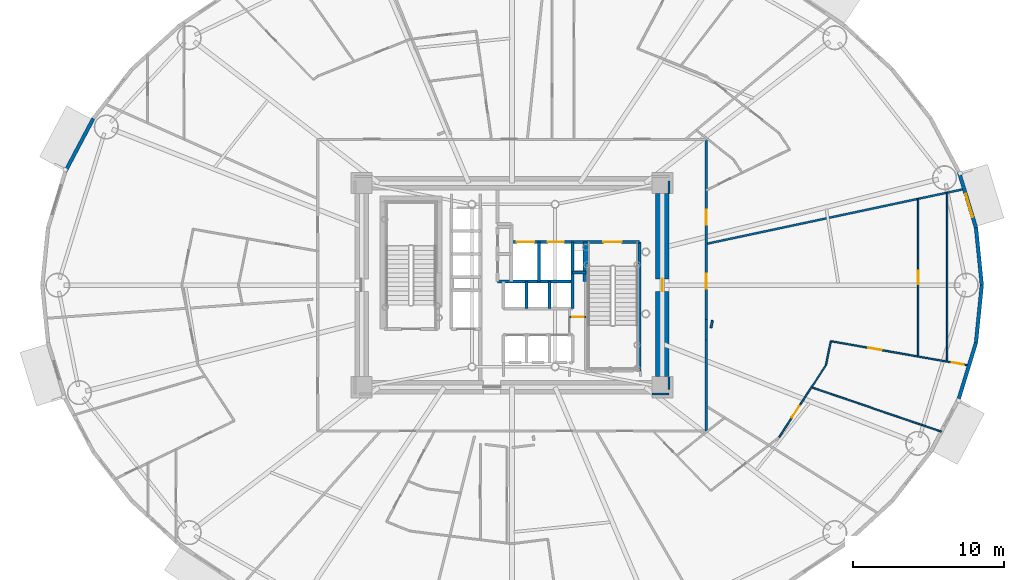
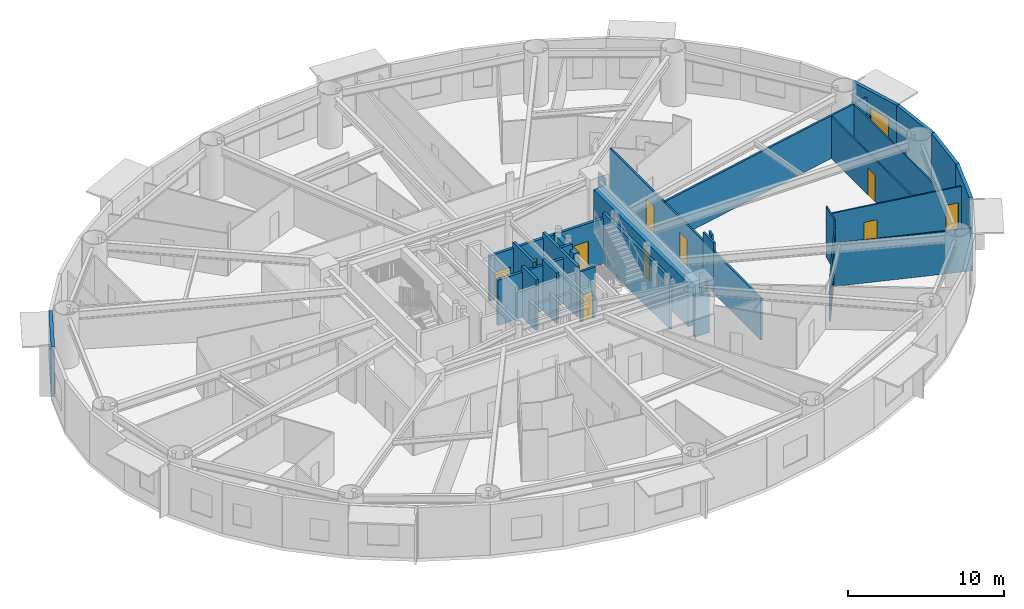
# One storey, part 11 of 21: 30 walls, 11 doors, 1 window, 12 openings.
"""IFC4 building model written with IfcOpenShell, lengths in metres."""

from ifc_helpers import new_model, si_unit, direction, frame, frame_2d, origin, origin_2d, place, context, subcontext, project, spatial, rectangle, extrude, source, transform, mapped, material, layer, layer_set, type_object, element, fill, save


model = new_model("IFC4")

# Units and contexts
model_context = context("Model", 3, precision=1e-05, world=origin(), true_north=direction((0.0, 1.0)))
body_context = subcontext(model_context, "Body", "Model", "MODEL_VIEW")
ifc_project = project(units=[si_unit("LENGTHUNIT", "METRE"), si_unit("AREAUNIT", "SQUARE_METRE"), si_unit("VOLUMEUNIT", "CUBIC_METRE"), si_unit("PLANEANGLEUNIT", "RADIAN"), si_unit("MASSUNIT", "GRAM", prefix="KILO")], contexts=[model_context])

# Site, building, storey
site_placement = place(None, origin())
site = spatial("IfcSite", under=ifc_project, at=site_placement, CompositionType="ELEMENT")
building_placement = place(site_placement, origin())
building = spatial("IfcBuilding", under=site, at=building_placement, Name="Linh Dai School and Residence Tower", CompositionType="ELEMENT")
storey_placement = place(building_placement, frame((0.0, 0.0, 61.800048828125)))
storey = spatial("IfcBuildingStorey", under=building, at=storey_placement, Name="L14", CompositionType="ELEMENT", Elevation=61.800048828125)

# Wall
ifc_material_1 = material(Name="Precast Concrete B45 (C35/45)", Category="concrete")
ifc_layer_1 = layer(ifc_material_1, 0.239990234375)
ifc_layer_set_1 = layer_set([ifc_layer_1], Name="Precast Concrete B45 (C35/45)")
wall_type_1 = type_object("IfcWallType", Name="EW-TC-240", PredefinedType="SOLIDWALL", material=ifc_layer_set_1)
wall_1_placement = place(storey_placement, frame((66.693359375, 30.796875, 0.0), z_axis=(0.0, 0.0, 1.0), x_axis=(0.099997795174, -0.994987658698, 0.0)))
element("IfcWall", 1, at=wall_1_placement, inside=storey, type_object=wall_type_1, Name="L14 Terracotta Exterior Wall 01", PredefinedType="SOLIDWALL", context=body_context, shape_type="SweptSolid", body=[
    extrude(rectangle(XDim=3.81591796875, YDim=0.239990234375, at=frame_2d((1.907958984375, 0.0))), origin(), (0.0, 0.0, 1.0), 3.949951171875),
])

# Wall, opening, window
wall_2_placement = place(storey_placement, frame((65.5576171875, 34.50146484375, 0.0), z_axis=(0.0, 0.0, 1.0), x_axis=(0.293111631758, -0.956078224482, 0.0)))
wall_2 = element("IfcWall", 2, at=wall_2_placement, inside=storey, type_object=wall_type_1, Name="L14 Terracotta Exterior Wall 02", PredefinedType="SOLIDWALL", context=body_context, shape_type="SweptSolid", body=[
    extrude(rectangle(XDim=3.874755859375, YDim=0.239990234375, at=frame_2d((1.9375, 0.0))), origin(), (0.0, 0.0, 1.0), 3.949951171875),
])
opening_1_placement = place(wall_2_placement, frame((1.5341796875, 0.0, 0.89990234375)))
opening_1 = element("IfcOpeningElement", 3, at=opening_1_placement, cuts=wall_2, Name="Opening W2", PredefinedType="OPENING", context=body_context, shape_type="SweptSolid", body=[
    extrude(rectangle(XDim=1.60009765625, YDim=1.75, at=origin_2d()), frame((0.800048828125, 0.1298828125, 0.875), z_axis=(0.0, -1.0, 0.0), x_axis=(1.0, 0.0, 0.0)), (0.0, 0.0, 1.0), 0.260009765625),
])
ifc_material_2 = material(Name="Double Low-E Insulated Glazing", Category="glass")
window_type = type_object("IfcWindowType", Name="WN-RES-1600x1750", PartitioningType="DOUBLE_PANEL_VERTICAL", PredefinedType="WINDOW", material=ifc_material_2)
shared_shape_1 = source(origin(), body_context, "Body", "SweptSolid", [
    extrude(rectangle(XDim=1.60009765625, YDim=1.75, at=origin_2d()), frame((0.800048828125, 0.030029296875, 0.875), z_axis=(0.0, -1.0, 0.0), x_axis=(1.0, 0.0, 0.0)), (0.0, 0.0, 1.0), 0.06005859375),
])
window_placement = place(opening_1_placement, origin())
window = element("IfcWindow", 4, at=window_placement, inside=storey, type_object=window_type, Name="L14 Exterior Window 02.1", OverallHeight=1.75, OverallWidth=1.60009765625, PartitioningType="DOUBLE_PANEL_VERTICAL", PredefinedType="WINDOW", context=body_context, shape_type="MappedRepresentation", body=[
    mapped(shared_shape_1, transform((0.0, 0.0, 0.0), x_axis=(1.0, 0.0, 0.0), y_axis=(0.0, 1.0, 0.0), z_axis=(0.0, 0.0, 1.0), scale=1.0)),
])
fill(opening_1, window)

# Walls
wall_3_placement = place(storey_placement, frame((6.4423828125, 34.50146484375, 0.0), z_axis=(0.0, 0.0, 1.0), x_axis=(0.467662443071, 0.883907144072, 0.0)))
element("IfcWall", 5, at=wall_3_placement, inside=storey, type_object=wall_type_1, Name="L14 Terracotta Exterior Wall 18", PredefinedType="SOLIDWALL", context=body_context, shape_type="SweptSolid", body=[
    extrude(rectangle(XDim=3.983642578125, YDim=0.239990234375, at=frame_2d((1.99169921875, 0.0))), origin(), (0.0, 0.0, 1.0), 3.949951171875),
])
wall_4_placement = place(storey_placement, frame((66.693359375, 23.203125, 0.0), z_axis=(0.0, 0.0, 1.0), x_axis=(-0.293111631758, -0.956078224482, 0.0)))
element("IfcWall", 6, at=wall_4_placement, inside=storey, type_object=wall_type_1, Name="L14 Terracotta Exterior Wall 39", PredefinedType="SOLIDWALL", context=body_context, shape_type="SweptSolid", body=[
    extrude(rectangle(XDim=3.874755859375, YDim=0.239990234375, at=frame_2d((1.9375, 0.0))), origin(), (0.0, 0.0, 1.0), 3.949951171875),
])
wall_5_placement = place(storey_placement, frame((67.074951171875, 27.0, 0.0), z_axis=(0.0, 0.0, 1.0), x_axis=(-0.099997795174, -0.994987658698, 0.0)))
element("IfcWall", 7, at=wall_5_placement, inside=storey, type_object=wall_type_1, Name="L14 Terracotta Exterior Wall 40", PredefinedType="SOLIDWALL", context=body_context, shape_type="SweptSolid", body=[
    extrude(rectangle(XDim=3.81591796875, YDim=0.239990234375, at=frame_2d((1.907958984375, 0.0))), origin(), (0.0, 0.0, 1.0), 3.949951171875),
])
ifc_material_3 = material(Name="Autoclaved Aerated Concrete Blockwork", Category="masonry")
ifc_layer_2 = layer(ifc_material_3, 0.135009765625)
ifc_layer_set_2 = layer_set([ifc_layer_2], Name="Autoclaved Aerated Concrete Blockwork")
wall_type_2 = type_object("IfcWallType", Name="IW-CORR-135-EI90", PredefinedType="PARTITIONING", material=ifc_layer_set_2)
wall_6_placement = place(storey_placement, frame((48.85009765625, 17.35009765625, 0.0), z_axis=(0.0, 0.0, 1.0), x_axis=(0.0, 1.0, 0.0)))
element("IfcWall", 8, at=wall_6_placement, inside=storey, type_object=wall_type_2, Name="L14 Interior Partition Wall 090", PredefinedType="PARTITIONING", context=body_context, shape_type="SweptSolid", body=[
    extrude(rectangle(XDim=6.011474609375, YDim=0.135009765625, at=frame_2d((3.005859375, 0.0))), origin(), (0.0, 0.0, 1.0), 3.284912109375),
])

# Wall, openings, doors
wall_7_placement = place(storey_placement, frame((48.85009765625, 24.741943359375, 0.0), z_axis=(0.0, 0.0, 1.0), x_axis=(0.0, 1.0, 0.0)))
wall_7 = element("IfcWall", 9, at=wall_7_placement, inside=storey, type_object=wall_type_2, Name="L14 Interior Partition Wall 092", PredefinedType="PARTITIONING", context=body_context, shape_type="SweptSolid", body=[
    extrude(rectangle(XDim=11.907958984375, YDim=0.135009765625, at=frame_2d((5.9541015625, 0.0))), origin(), (0.0, 0.0, 1.0), 3.284912109375),
])
opening_2_placement = place(wall_7_placement, frame((6.261962890625, 0.0, 0.0)))
opening_2 = element("IfcOpeningElement", 10, at=opening_2_placement, cuts=wall_7, Name="Opening D03", PredefinedType="OPENING", context=body_context, shape_type="SweptSolid", body=[
    extrude(rectangle(XDim=1.0, YDim=2.14990234375, at=origin_2d()), frame((0.5, 0.07763671875, 1.074951171875), z_axis=(0.0, -1.0, 0.0), x_axis=(1.0, 0.0, 0.0)), (0.0, 0.0, 1.0), 0.155029296875),
])
opening_3_placement = place(wall_7_placement, frame((2.0146484375, 0.0, 0.0)))
opening_3 = element("IfcOpeningElement", 11, at=opening_3_placement, cuts=wall_7, Name="Opening D03", PredefinedType="OPENING", context=body_context, shape_type="SweptSolid", body=[
    extrude(rectangle(XDim=1.0, YDim=2.14990234375, at=origin_2d()), frame((0.5, 0.07763671875, 1.074951171875), z_axis=(0.0, -1.0, 0.0), x_axis=(1.0, 0.0, 0.0)), (0.0, 0.0, 1.0), 0.155029296875),
])
ifc_material_4 = material(Name="Fire-Rated Solid Timber Entrance Door", Category="wood")
door_type_1 = type_object("IfcDoorType", Name="DR-FLAT-1000x2150-FD60S", OperationType="NOTDEFINED", PredefinedType="DOOR", material=ifc_material_4)
shared_shape_2 = source(origin(), body_context, "Body", "SweptSolid", [
    extrude(rectangle(XDim=1.0, YDim=2.14990234375, at=origin_2d()), frame((0.5, 0.02490234375, 1.074951171875), z_axis=(0.0, -1.0, 0.0), x_axis=(1.0, 0.0, 0.0)), (0.0, 0.0, 1.0), 0.050048828125),
])
door_1_placement = place(opening_2_placement, origin())
door_1 = element("IfcDoor", 12, at=door_1_placement, inside=storey, type_object=door_type_1, Name="L14 U1401 Apartment Entrance Door", OperationType="SINGLE_SWING_LEFT", OverallHeight=2.14990234375, OverallWidth=1.0, PredefinedType="DOOR", context=body_context, shape_type="MappedRepresentation", body=[
    mapped(shared_shape_2, transform((0.0, 0.0, 0.0), x_axis=(1.0, 0.0, 0.0), y_axis=(0.0, 1.0, 0.0), z_axis=(0.0, 0.0, 1.0), scale=1.0)),
])
fill(opening_2, door_1)
door_2_placement = place(opening_3_placement, origin())
door_2 = element("IfcDoor", 13, at=door_2_placement, inside=storey, type_object=door_type_1, Name="L14 U1410 Apartment Entrance Door", OperationType="SINGLE_SWING_LEFT", OverallHeight=2.14990234375, OverallWidth=1.0, PredefinedType="DOOR", context=body_context, shape_type="MappedRepresentation", body=[
    mapped(shared_shape_2, transform((0.0, 0.0, 0.0), x_axis=(1.0, 0.0, 0.0), y_axis=(0.0, 1.0, 0.0), z_axis=(0.0, 0.0, 1.0), scale=1.0)),
])
fill(opening_3, door_2)

# Walls
wall_8_placement = place(storey_placement, frame((48.85009765625, 29.7314453125, 0.0), z_axis=(0.0, 0.0, 1.0), x_axis=(0.97814985104, 0.207901103679, 0.0)))
element("IfcWall", 14, at=wall_8_placement, inside=storey, type_object=wall_type_2, Name="L14 Interior Partition Wall 093", PredefinedType="PARTITIONING", context=body_context, shape_type="SweptSolid", body=[
    extrude(rectangle(XDim=17.4443359375, YDim=0.135009765625, at=frame_2d((8.72216796875, 0.0))), origin(), (0.0, 0.0, 1.0), 3.3349609375),
])
wall_9_placement = place(storey_placement, frame((48.85009765625, 24.73193359375, 0.0), z_axis=(0.0, 0.0, 1.0), x_axis=(0.0, -1.0, 0.0)))
element("IfcWall", 15, at=wall_9_placement, inside=storey, type_object=wall_type_2, Name="L14 Interior Partition Wall 116", PredefinedType="PARTITIONING", context=body_context, shape_type="SweptSolid", body=[
    extrude(rectangle(XDim=1.3603515625, YDim=0.135009765625, at=frame_2d((0.68017578125, 0.0))), origin(), (0.0, 0.0, 1.0), 3.949951171875),
])
wall_10_placement = place(storey_placement, frame((45.260009765625, 19.800048828125, 0.0), z_axis=(0.0, 0.0, 1.0), x_axis=(1.0, 0.0, 0.0)))
element("IfcWall", 16, at=wall_10_placement, inside=storey, type_object=wall_type_2, Name="L14 Interior Partition Wall 124", PredefinedType="PARTITIONING", context=body_context, shape_type="SweptSolid", body=[
    extrude(rectangle(XDim=1.139892578125, YDim=0.135009765625, at=frame_2d((0.56982421875, 0.0))), origin(), (0.0, 0.0, 1.0), 3.284912109375),
])
for number, where, z_axis, x_axis, name in (
    (17, (46.39990234375, 20.107421875, 0.0), (0.0, 0.0, 1.0), (0.0, 1.0, 0.0), "L14 Interior Partition Wall 125"),
    (18, (46.39990234375, 33.06005859375, 0.0), (0.0, 0.0, 1.0), (0.0, 1.0, 0.0), "L14 Interior Partition Wall 126"),
):
    element("IfcWall", number, at=place(storey_placement, frame(where, z_axis=z_axis, x_axis=x_axis)), inside=storey, type_object=wall_type_2, Name=name, PredefinedType="PARTITIONING", context=body_context, shape_type="SweptSolid", body=[
        extrude(rectangle(XDim=0.83251953125, YDim=0.135009765625, at=frame_2d((0.416259765625, 0.0))), origin(), (0.0, 0.0, 1.0), 3.949951171875),
    ])
wall_11_placement = place(storey_placement, frame((49.157470703125, 24.1796875, 0.0), z_axis=(0.0, 0.0, 1.0), x_axis=(0.198365081381, 0.980128203088, 0.0)))
element("IfcWall", 19, at=wall_11_placement, inside=storey, type_object=wall_type_2, Name="L14 Interior Partition Wall 135", PredefinedType="PARTITIONING", context=body_context, shape_type="SweptSolid", body=[
    extrude(rectangle(XDim=0.5009765625, YDim=0.135009765625, at=frame_2d((0.25048828125, 0.0))), origin(), (0.0, 0.0, 1.0), 3.949951171875),
])

# Wall, opening, door
ifc_layer_3 = layer(ifc_material_3, 0.14990234375)
ifc_layer_set_3 = layer_set([ifc_layer_3], Name="Autoclaved Aerated Concrete Blockwork")
wall_type_3 = type_object("IfcWallType", Name="IW-SCH-150-EI60", PredefinedType="PARTITIONING", material=ifc_layer_set_3)
wall_12_placement = place(storey_placement, frame((39.800048828125, 24.89990234375, 0.0), z_axis=(0.0, 0.0, 1.0), x_axis=(1.0, 0.0, 0.0)))
wall_12 = element("IfcWall", 20, at=wall_12_placement, inside=storey, type_object=wall_type_3, Name="L14 Interior Partition Wall 071", PredefinedType="PARTITIONING", context=body_context, shape_type="SweptSolid", body=[
    extrude(rectangle(XDim=1.099853515625, YDim=0.14990234375, at=frame_2d((0.5498046875, 0.0))), origin(), (0.0, 0.0, 1.0), 3.949951171875),
])
opening_4_placement = place(wall_12_placement, frame((0.169921875, 0.0, 0.0)))
opening_4 = element("IfcOpeningElement", 21, at=opening_4_placement, cuts=wall_12, Name="Opening D08", PredefinedType="OPENING", context=body_context, shape_type="SweptSolid", body=[
    extrude(rectangle(XDim=0.760009765625, YDim=2.10009765625, at=origin_2d()), frame((0.3798828125, 0.0849609375, 1.050048828125), z_axis=(0.0, -1.0, 0.0), x_axis=(1.0, 0.0, 0.0)), (0.0, 0.0, 1.0), 0.169921875),
])
ifc_material_5 = material(Name="Engineered Timber Closet and Study Door", Category="wood")
door_type_2 = type_object("IfcDoorType", Name="DR-CMP-760x2100", OperationType="NOTDEFINED", PredefinedType="DOOR", material=ifc_material_5)
shared_shape_3 = source(origin(), body_context, "Body", "SweptSolid", [
    extrude(rectangle(XDim=0.760009765625, YDim=2.10009765625, at=origin_2d()), frame((0.3798828125, 0.02490234375, 1.050048828125), z_axis=(0.0, -1.0, 0.0), x_axis=(1.0, 0.0, 0.0)), (0.0, 0.0, 1.0), 0.050048828125),
])
door_3_placement = place(opening_4_placement, origin())
door_3 = element("IfcDoor", 22, at=door_3_placement, inside=storey, type_object=door_type_2, Name="L14 NE Cleaners Store Door", OperationType="SINGLE_SWING_LEFT", OverallHeight=2.10009765625, OverallWidth=0.760009765625, PredefinedType="DOOR", context=body_context, shape_type="MappedRepresentation", body=[
    mapped(shared_shape_3, transform((0.0, 0.0, 0.0), x_axis=(1.0, 0.0, 0.0), y_axis=(0.0, 1.0, 0.0), z_axis=(0.0, 0.0, 1.0), scale=1.0)),
])
fill(opening_4, door_3)

# Wall
ifc_material_6 = material(Name="Concrete B45 (C35/45)", Category="concrete")
ifc_layer_4 = layer(ifc_material_6, 0.199951171875)
ifc_layer_set_4 = layer_set([ifc_layer_4], Name="Concrete B45 (C35/45)")
wall_type_4 = type_object("IfcWallType", Name="IW-SHAFT-200-EI120", PredefinedType="PARTITIONING", material=ifc_layer_set_4)
wall_13_placement = place(storey_placement, frame((35.050048828125, 27.25, 0.0), z_axis=(0.0, 0.0, 1.0), x_axis=(1.0, 0.0, 0.0)))
element("IfcWall", 23, at=wall_13_placement, inside=storey, type_object=wall_type_4, Name="L14 Interior Partition Wall 047", PredefinedType="PARTITIONING", context=body_context, shape_type="SweptSolid", body=[
    extrude(rectangle(XDim=4.949951171875, YDim=0.199951171875, at=frame_2d((2.47509765625, 0.0))), origin(), (0.0, 0.0, 1.0), 3.534912109375),
])

# Wall, openings, doors
wall_14_placement = place(storey_placement, frame((35.949951171875, 29.85009765625, 0.0), z_axis=(0.0, 0.0, 1.0), x_axis=(1.0, 0.0, 0.0)))
wall_14 = element("IfcWall", 24, at=wall_14_placement, inside=storey, type_object=wall_type_4, Name="L14 Interior Partition Wall 058", PredefinedType="PARTITIONING", context=body_context, shape_type="SweptSolid", body=[
    extrude(rectangle(XDim=8.489990234375, YDim=0.199951171875, at=frame_2d((4.2451171875, 0.0))), origin(), (0.0, 0.0, 1.0), 3.534912109375),
])
opening_5_placement = place(wall_14_placement, frame((6.10009765625, 0.0, 0.0)))
opening_5 = element("IfcOpeningElement", 25, at=opening_5_placement, cuts=wall_14, Name="Opening D01", PredefinedType="OPENING", context=body_context, shape_type="SweptSolid", body=[
    extrude(rectangle(XDim=1.199951171875, YDim=2.14990234375, at=origin_2d()), frame((0.60009765625, 0.10986328125, 1.074951171875), z_axis=(0.0, -1.0, 0.0), x_axis=(1.0, 0.0, 0.0)), (0.0, 0.0, 1.0), 0.219970703125),
])
opening_6_placement = place(wall_14_placement, frame((0.3701171875, 0.0, 0.0)))
opening_6 = element("IfcOpeningElement", 26, at=opening_6_placement, cuts=wall_14, Name="Opening LD-FF1", PredefinedType="OPENING", context=body_context, shape_type="SweptSolid", body=[
    extrude(rectangle(XDim=1.14990234375, YDim=2.14990234375, at=origin_2d()), frame((0.574951171875, 0.10986328125, 1.074951171875), z_axis=(0.0, -1.0, 0.0), x_axis=(1.0, 0.0, 0.0)), (0.0, 0.0, 1.0), 0.219970703125),
])
opening_7_placement = place(wall_14_placement, frame((2.425048828125, 0.0, 0.0)))
opening_7 = element("IfcOpeningElement", 27, at=opening_7_placement, cuts=wall_14, Name="Opening LD-SV1", PredefinedType="OPENING", context=body_context, shape_type="SweptSolid", body=[
    extrude(rectangle(XDim=1.050048828125, YDim=2.14990234375, at=origin_2d()), frame((0.52490234375, 0.10986328125, 1.074951171875), z_axis=(0.0, -1.0, 0.0), x_axis=(1.0, 0.0, 0.0)), (0.0, 0.0, 1.0), 0.219970703125),
])
ifc_material_7 = material(Name="Fire-Rated Steel Door Leaf", Category="steel")
door_type_3 = type_object("IfcDoorType", Name="DR-STAIR-1200x2150-FD90S", OperationType="NOTDEFINED", PredefinedType="DOOR", material=ifc_material_7)
shared_shape_4 = source(origin(), body_context, "Body", "SweptSolid", [
    extrude(rectangle(XDim=1.199951171875, YDim=2.14990234375, at=origin_2d()), frame((0.60009765625, 0.02490234375, 1.074951171875), z_axis=(0.0, -1.0, 0.0), x_axis=(1.0, 0.0, 0.0)), (0.0, 0.0, 1.0), 0.050048828125),
])
door_4_placement = place(opening_5_placement, origin())
door_4 = element("IfcDoor", 28, at=door_4_placement, inside=storey, type_object=door_type_3, Name="L14 Core Smokeproof Exit Stair ST2 Door", OperationType="SINGLE_SWING_RIGHT", OverallHeight=2.14990234375, OverallWidth=1.199951171875, PredefinedType="DOOR", context=body_context, shape_type="MappedRepresentation", body=[
    mapped(shared_shape_4, transform((0.0, 0.0, 0.0), x_axis=(1.0, 0.0, 0.0), y_axis=(0.0, 1.0, 0.0), z_axis=(0.0, 0.0, 1.0), scale=1.0)),
])
fill(opening_5, door_4)
ifc_material_8 = material(Name="Fire-Rated Stainless Steel Firefighting Lift Door", Category="steel")
door_type_4 = type_object("IfcDoorType", Name="DR-LD-FF-1150x2150-FD120", OperationType="DOUBLE_DOOR_SLIDING", PredefinedType="USERDEFINED", material=ifc_material_8)
shared_shape_5 = source(origin(), body_context, "Body", "SweptSolid", [
    extrude(rectangle(XDim=1.14990234375, YDim=2.14990234375, at=origin_2d()), frame((0.574951171875, 0.02490234375, 1.074951171875), z_axis=(0.0, -1.0, 0.0), x_axis=(1.0, 0.0, 0.0)), (0.0, 0.0, 1.0), 0.050048828125),
])
door_5_placement = place(opening_6_placement, origin())
door_5 = element("IfcDoor", 29, at=door_5_placement, inside=storey, type_object=door_type_4, Name="L14 Lift FF1 Sliding Landing Door", ObjectType="LANDING DOOR", OperationType="DOUBLE_DOOR_SLIDING", OverallHeight=2.14990234375, OverallWidth=1.14990234375, PredefinedType="USERDEFINED", context=body_context, shape_type="MappedRepresentation", body=[
    mapped(shared_shape_5, transform((0.0, 0.0, 0.0), x_axis=(1.0, 0.0, 0.0), y_axis=(0.0, 1.0, 0.0), z_axis=(0.0, 0.0, 1.0), scale=1.0)),
])
fill(opening_6, door_5)
ifc_material_9 = material(Name="Brushed Stainless Steel Lift Landing Door", Category="steel")
door_type_5 = type_object("IfcDoorType", Name="DR-LD-PASS-1050x2150", OperationType="DOUBLE_DOOR_SLIDING", PredefinedType="USERDEFINED", material=ifc_material_9)
shared_shape_6 = source(origin(), body_context, "Body", "SweptSolid", [
    extrude(rectangle(XDim=1.050048828125, YDim=2.14990234375, at=origin_2d()), frame((0.52490234375, 0.02490234375, 1.074951171875), z_axis=(0.0, -1.0, 0.0), x_axis=(1.0, 0.0, 0.0)), (0.0, 0.0, 1.0), 0.050048828125),
])
door_6_placement = place(opening_7_placement, origin())
door_6 = element("IfcDoor", 30, at=door_6_placement, inside=storey, type_object=door_type_5, Name="L14 Lift SV1 Sliding Landing Door", ObjectType="LANDING DOOR", OperationType="DOUBLE_DOOR_SLIDING", OverallHeight=2.14990234375, OverallWidth=1.050048828125, PredefinedType="USERDEFINED", context=body_context, shape_type="MappedRepresentation", body=[
    mapped(shared_shape_6, transform((0.0, 0.0, 0.0), x_axis=(1.0, 0.0, 0.0), y_axis=(0.0, 1.0, 0.0), z_axis=(0.0, 0.0, 1.0), scale=1.0)),
])
fill(opening_7, door_6)

# Walls
wall_15_placement = place(storey_placement, frame((36.9599609375, 25.449951171875, 0.0), z_axis=(0.0, 0.0, 1.0), x_axis=(0.0, 1.0, 0.0)))
element("IfcWall", 31, at=wall_15_placement, inside=storey, type_object=wall_type_4, Name="L14 Interior Partition Wall 061", PredefinedType="PARTITIONING", context=body_context, shape_type="SweptSolid", body=[
    extrude(rectangle(XDim=1.800048828125, YDim=0.199951171875, at=frame_2d((0.89990234375, 0.0))), origin(), (0.0, 0.0, 1.0), 3.949951171875),
])
wall_16_placement = place(storey_placement, frame((37.800048828125, 27.25, 0.0), z_axis=(0.0, 0.0, 1.0), x_axis=(0.0, 1.0, 0.0)))
element("IfcWall", 32, at=wall_16_placement, inside=storey, type_object=wall_type_4, Name="L14 Interior Partition Wall 064", PredefinedType="PARTITIONING", context=body_context, shape_type="SweptSolid", body=[
    extrude(rectangle(XDim=2.60009765625, YDim=0.199951171875, at=frame_2d((1.300048828125, 0.0))), origin(), (0.0, 0.0, 1.0), 3.949951171875),
])
wall_17_placement = place(storey_placement, frame((38.47998046875, 25.449951171875, 0.0), z_axis=(0.0, 0.0, 1.0), x_axis=(0.0, 1.0, 0.0)))
element("IfcWall", 33, at=wall_17_placement, inside=storey, type_object=wall_type_4, Name="L14 Interior Partition Wall 067", PredefinedType="PARTITIONING", context=body_context, shape_type="SweptSolid", body=[
    extrude(rectangle(XDim=1.800048828125, YDim=0.199951171875, at=frame_2d((0.89990234375, 0.0))), origin(), (0.0, 0.0, 1.0), 3.949951171875),
])
wall_18_placement = place(storey_placement, frame((40.0, 25.449951171875, 0.0), z_axis=(0.0, 0.0, 1.0), x_axis=(0.0, 1.0, 0.0)))
element("IfcWall", 34, at=wall_18_placement, inside=storey, type_object=wall_type_4, Name="L14 Interior Partition Wall 073", PredefinedType="PARTITIONING", context=body_context, shape_type="SweptSolid", body=[
    extrude(rectangle(XDim=4.400146484375, YDim=0.199951171875, at=frame_2d((2.2001953125, 0.0))), origin(), (0.0, 0.0, 1.0), 3.949951171875),
])
wall_19_placement = place(storey_placement, frame((40.0, 27.85009765625, 0.0), z_axis=(0.0, 0.0, 1.0), x_axis=(1.0, 0.0, 0.0)))
element("IfcWall", 35, at=wall_19_placement, inside=storey, type_object=wall_type_4, Name="L14 Interior Partition Wall 074", PredefinedType="PARTITIONING", context=body_context, shape_type="SweptSolid", body=[
    extrude(rectangle(XDim=0.89990234375, YDim=0.199951171875, at=frame_2d((0.449951171875, 0.0))), origin(), (0.0, 0.0, 1.0), 3.949951171875),
])
wall_20_placement = place(storey_placement, frame((44.43994140625, 21.330078125, 0.0), z_axis=(0.0, 0.0, 1.0), x_axis=(0.0, 1.0, 0.0)))
element("IfcWall", 36, at=wall_20_placement, inside=storey, type_object=wall_type_4, Name="L14 Interior Partition Wall 082", PredefinedType="PARTITIONING", context=body_context, shape_type="SweptSolid", body=[
    extrude(rectangle(XDim=8.52001953125, YDim=0.199951171875, at=frame_2d((4.260009765625, 0.0))), origin(), (0.0, 0.0, 1.0), 3.949951171875),
])

# Wall, opening, door
ifc_material_10 = material(Name="Gypsum Plasterboard Acoustic Stud Partition", Category="masonry")
ifc_layer_5 = layer(ifc_material_10, 0.10009765625)
ifc_layer_set_5 = layer_set([ifc_layer_5], Name="Gypsum Plasterboard Acoustic Stud Partition")
wall_type_5 = type_object("IfcWallType", Name="IW-UNIT-100", PredefinedType="PARTITIONING", material=ifc_layer_set_5)
wall_21_placement = place(storey_placement, frame((53.6689453125, 16.9482421875, 0.0), z_axis=(0.0, 0.0, 1.0), x_axis=(0.545413765252, 0.8381669432, 0.0)))
wall_21 = element("IfcWall", 37, at=wall_21_placement, inside=storey, type_object=wall_type_5, Name="L14 Interior Partition Wall 097", PredefinedType="PARTITIONING", context=body_context, shape_type="SweptSolid", body=[
    extrude(rectangle(XDim=5.6875, YDim=0.10009765625, at=frame_2d((2.84375, 0.0))), origin(), (0.0, 0.0, 1.0), 3.284912109375),
])
opening_8_placement = place(wall_21_placement, frame((1.534912109375, 0.0, 0.0)))
opening_8 = element("IfcOpeningElement", 38, at=opening_8_placement, cuts=wall_21, Name="Opening D05", PredefinedType="OPENING", context=body_context, shape_type="SweptSolid", body=[
    extrude(rectangle(XDim=0.89990234375, YDim=2.10009765625, at=origin_2d()), frame((0.449951171875, 0.06005859375, 1.050048828125), z_axis=(0.0, -1.0, 0.0), x_axis=(1.0, 0.0, 0.0)), (0.0, 0.0, 1.0), 0.1201171875),
])
ifc_material_11 = material(Name="Engineered Timber Internal Door", Category="wood")
door_type_6 = type_object("IfcDoorType", Name="DR-INT-900x2100", OperationType="NOTDEFINED", PredefinedType="DOOR", material=ifc_material_11)
shared_shape_7 = source(origin(), body_context, "Body", "SweptSolid", [
    extrude(rectangle(XDim=0.89990234375, YDim=2.10009765625, at=origin_2d()), frame((0.449951171875, 0.02490234375, 1.050048828125), z_axis=(0.0, -1.0, 0.0), x_axis=(1.0, 0.0, 0.0)), (0.0, 0.0, 1.0), 0.050048828125),
])
door_7_placement = place(opening_8_placement, origin())
door_7 = element("IfcDoor", 39, at=door_7_placement, inside=storey, type_object=door_type_6, Name="L14 Apartment U1410 Principal Bedroom 1 Door", OperationType="SINGLE_SWING_RIGHT", OverallHeight=2.10009765625, OverallWidth=0.89990234375, PredefinedType="DOOR", context=body_context, shape_type="MappedRepresentation", body=[
    mapped(shared_shape_7, transform((0.0, 0.0, 0.0), x_axis=(1.0, 0.0, 0.0), y_axis=(0.0, 1.0, 0.0), z_axis=(0.0, 0.0, 1.0), scale=1.0)),
])
fill(opening_8, door_7)

# Walls
wall_22_placement = place(storey_placement, frame((55.812255859375, 20.2421875, 0.0), z_axis=(0.0, 0.0, 1.0), x_axis=(0.946449887069, -0.322850756955, 0.0)))
element("IfcWall", 40, at=wall_22_placement, inside=storey, type_object=wall_type_5, Name="L14 Interior Partition Wall 099", PredefinedType="PARTITIONING", context=body_context, shape_type="SweptSolid", body=[
    extrude(rectangle(XDim=9.079833984375, YDim=0.10009765625, at=frame_2d((4.5400390625, 0.0))), origin(), (0.0, 0.0, 1.0), 3.3349609375),
])
wall_23_placement = place(storey_placement, frame((56.77099609375, 21.715576171875, 0.0), z_axis=(0.0, 0.0, 1.0), x_axis=(0.198302290641, 0.980140909016, 0.0)))
element("IfcWall", 41, at=wall_23_placement, inside=storey, type_object=wall_type_5, Name="L14 Interior Partition Wall 100", PredefinedType="PARTITIONING", context=body_context, shape_type="SweptSolid", body=[
    extrude(rectangle(XDim=1.6103515625, YDim=0.10009765625, at=frame_2d((0.80517578125, 0.0))), origin(), (0.0, 0.0, 1.0), 3.949951171875),
])

# Wall, openings, doors
wall_24_placement = place(storey_placement, frame((57.09033203125, 23.2939453125, 0.0), z_axis=(0.0, 0.0, 1.0), x_axis=(0.984913803966, -0.173045655125, 0.0)))
wall_24 = element("IfcWall", 42, at=wall_24_placement, inside=storey, type_object=wall_type_5, Name="L14 Interior Partition Wall 101", PredefinedType="PARTITIONING", context=body_context, shape_type="SweptSolid", body=[
    extrude(rectangle(XDim=9.283447265625, YDim=0.10009765625, at=frame_2d((4.6416015625, 0.0))), origin(), (0.0, 0.0, 1.0), 3.3349609375),
])
opening_9_placement = place(wall_24_placement, frame((2.50244140625, 0.0, 0.0)))
opening_9 = element("IfcOpeningElement", 43, at=opening_9_placement, cuts=wall_24, Name="Opening D05", PredefinedType="OPENING", context=body_context, shape_type="SweptSolid", body=[
    extrude(rectangle(XDim=0.89990234375, YDim=2.10009765625, at=origin_2d()), frame((0.449951171875, 0.06005859375, 1.050048828125), z_axis=(0.0, -1.0, 0.0), x_axis=(1.0, 0.0, 0.0)), (0.0, 0.0, 1.0), 0.1201171875),
])
opening_10_placement = place(wall_24_placement, frame((8.114501953125, 0.0, 0.0)))
opening_10 = element("IfcOpeningElement", 44, at=opening_10_placement, cuts=wall_24, Name="Opening D06", PredefinedType="OPENING", context=body_context, shape_type="SweptSolid", body=[
    extrude(rectangle(XDim=0.820068359375, YDim=2.10009765625, at=origin_2d()), frame((0.41015625, 0.06005859375, 1.050048828125), z_axis=(0.0, -1.0, 0.0), x_axis=(1.0, 0.0, 0.0)), (0.0, 0.0, 1.0), 0.1201171875),
])
ifc_material_12 = material(Name="Moisture-Resistant Timber Bathroom Door", Category="wood")
door_type_7 = type_object("IfcDoorType", Name="DR-WET-820x2100", OperationType="NOTDEFINED", PredefinedType="DOOR", material=ifc_material_12)
shared_shape_8 = source(origin(), body_context, "Body", "SweptSolid", [
    extrude(rectangle(XDim=0.820068359375, YDim=2.10009765625, at=origin_2d()), frame((0.41015625, 0.02490234375, 1.050048828125), z_axis=(0.0, -1.0, 0.0), x_axis=(1.0, 0.0, 0.0)), (0.0, 0.0, 1.0), 0.050048828125),
])
door_8_placement = place(opening_10_placement, origin())
door_8 = element("IfcDoor", 45, at=door_8_placement, inside=storey, type_object=door_type_7, Name="L14 Apartment U1410 Bathroom 1 Door", OperationType="SINGLE_SWING_RIGHT", OverallHeight=2.10009765625, OverallWidth=0.820068359375, PredefinedType="DOOR", context=body_context, shape_type="MappedRepresentation", body=[
    mapped(shared_shape_8, transform((0.0, 0.0, 0.0), x_axis=(1.0, 0.0, 0.0), y_axis=(0.0, 1.0, 0.0), z_axis=(0.0, 0.0, 1.0), scale=1.0)),
])
fill(opening_10, door_8)
door_9_placement = place(opening_9_placement, origin())
door_9 = element("IfcDoor", 46, at=door_9_placement, inside=storey, type_object=door_type_6, Name="L14 Apartment U1410 Study Door", OperationType="SINGLE_SWING_LEFT", OverallHeight=2.10009765625, OverallWidth=0.89990234375, PredefinedType="DOOR", context=body_context, shape_type="MappedRepresentation", body=[
    mapped(shared_shape_7, transform((0.0, 0.0, 0.0), x_axis=(1.0, 0.0, 0.0), y_axis=(0.0, 1.0, 0.0), z_axis=(0.0, 0.0, 1.0), scale=1.0)),
])
fill(opening_9, door_9)

# Wall, opening, door
wall_25_placement = place(storey_placement, frame((62.86669921875, 22.279052734375, 0.0), z_axis=(0.0, 0.0, 1.0), x_axis=(0.0, 1.0, 0.0)))
wall_25 = element("IfcWall", 47, at=wall_25_placement, inside=storey, type_object=wall_type_5, Name="L14 Interior Partition Wall 102", PredefinedType="PARTITIONING", context=body_context, shape_type="SweptSolid", body=[
    extrude(rectangle(XDim=10.431640625, YDim=0.10009765625, at=frame_2d((5.2158203125, 0.0))), origin(), (0.0, 0.0, 1.0), 3.284912109375),
])
opening_11_placement = place(wall_25_placement, frame((4.765869140625, 0.0, 0.0)))
opening_11 = element("IfcOpeningElement", 48, at=opening_11_placement, cuts=wall_25, Name="Opening D05", PredefinedType="OPENING", context=body_context, shape_type="SweptSolid", body=[
    extrude(rectangle(XDim=0.89990234375, YDim=2.10009765625, at=origin_2d()), frame((0.449951171875, 0.06005859375, 1.050048828125), z_axis=(0.0, -1.0, 0.0), x_axis=(1.0, 0.0, 0.0)), (0.0, 0.0, 1.0), 0.1201171875),
])
door_10_placement = place(opening_11_placement, origin())
door_10 = element("IfcDoor", 49, at=door_10_placement, inside=storey, type_object=door_type_6, Name="L14 Apartment U1410 Kitchen Door", OperationType="SINGLE_SWING_LEFT", OverallHeight=2.10009765625, OverallWidth=0.89990234375, PredefinedType="DOOR", context=body_context, shape_type="MappedRepresentation", body=[
    mapped(shared_shape_7, transform((0.0, 0.0, 0.0), x_axis=(1.0, 0.0, 0.0), y_axis=(0.0, 1.0, 0.0), z_axis=(0.0, 0.0, 1.0), scale=1.0)),
])
fill(opening_11, door_10)

# Walls
wall_26_placement = place(storey_placement, frame((64.778076171875, 21.943115234375, 0.0), z_axis=(0.0, 0.0, 1.0), x_axis=(0.0, 1.0, 0.0)))
element("IfcWall", 50, at=wall_26_placement, inside=storey, type_object=wall_type_5, Name="L14 Interior Partition Wall 103", PredefinedType="PARTITIONING", context=body_context, shape_type="SweptSolid", body=[
    extrude(rectangle(XDim=11.173828125, YDim=0.10009765625, at=frame_2d((5.5869140625, 0.0))), origin(), (0.0, 0.0, 1.0), 3.284912109375),
])
ifc_layer_6 = layer(ifc_material_6, 0.39990234375)
ifc_layer_set_6 = layer_set([ifc_layer_6], Name="Concrete B45 (C35/45)")
wall_type_6 = type_object("IfcWallType", Name="WL-CORE400", PredefinedType="SHEAR", material=ifc_layer_set_6)
wall_27_placement = place(storey_placement, frame((40.89990234375, 27.25, 0.0), z_axis=(0.0, 0.0, 1.0), x_axis=(0.0, 1.0, 0.0)))
element("IfcWall", 51, at=wall_27_placement, inside=storey, type_object=wall_type_6, Name="L14 Internal Core Shear Wall IE", PredefinedType="SHEAR", context=body_context, shape_type="SweptSolid", body=[
    extrude(rectangle(XDim=2.60009765625, YDim=0.39990234375, at=frame_2d((1.300048828125, 0.0))), origin(), (0.0, 0.0, 1.0), 3.550048828125),
])

# Wall, opening, door
ifc_material_13 = material(Name="Concrete B60 (C50/60)", Category="concrete")
ifc_layer_7 = layer(ifc_material_13, 0.89990234375)
ifc_layer_set_7 = layer_set([ifc_layer_7], Name="Concrete B60 (C50/60)")
wall_type_7 = type_object("IfcWallType", Name="WL-CORE900", PredefinedType="SHEAR", material=ifc_layer_set_7)
wall_28_placement = place(storey_placement, frame((45.949951171875, 33.050048828125, 0.0), z_axis=(0.0, 0.0, 1.0), x_axis=(0.0, -1.0, 0.0)))
wall_28 = element("IfcWall", 52, at=wall_28_placement, inside=storey, type_object=wall_type_7, Name="L14 Central Core Shear Wall E", PredefinedType="SHEAR", context=body_context, shape_type="SweptSolid", body=[
    extrude(rectangle(XDim=12.10009765625, YDim=0.89990234375, at=frame_2d((6.050048828125, 0.0))), origin(), (0.0, 0.0, 1.0), 3.39990234375),
])
opening_12_placement = place(wall_28_placement, frame((5.639892578125, 0.0, 0.0)))
opening_12 = element("IfcOpeningElement", 53, at=opening_12_placement, cuts=wall_28, Name="Opening D06", PredefinedType="OPENING", context=body_context, shape_type="SweptSolid", body=[
    extrude(rectangle(XDim=0.820068359375, YDim=2.10009765625, at=origin_2d()), frame((0.41015625, 0.4599609375, 1.050048828125), z_axis=(0.0, -1.0, 0.0), x_axis=(1.0, 0.0, 0.0)), (0.0, 0.0, 1.0), 0.919921875),
])
door_11_placement = place(opening_12_placement, origin())
door_11 = element("IfcDoor", 54, at=door_11_placement, inside=storey, type_object=door_type_7, Name="L14 Firefighting Lobby Door", OperationType="SINGLE_SWING_LEFT", OverallHeight=2.10009765625, OverallWidth=0.820068359375, PredefinedType="DOOR", context=body_context, shape_type="MappedRepresentation", body=[
    mapped(shared_shape_8, transform((0.0, 0.0, 0.0), x_axis=(1.0, 0.0, 0.0), y_axis=(0.0, 1.0, 0.0), z_axis=(0.0, 0.0, 1.0), scale=1.0)),
])
fill(opening_12, door_11)

save(model, "model.ifc")
